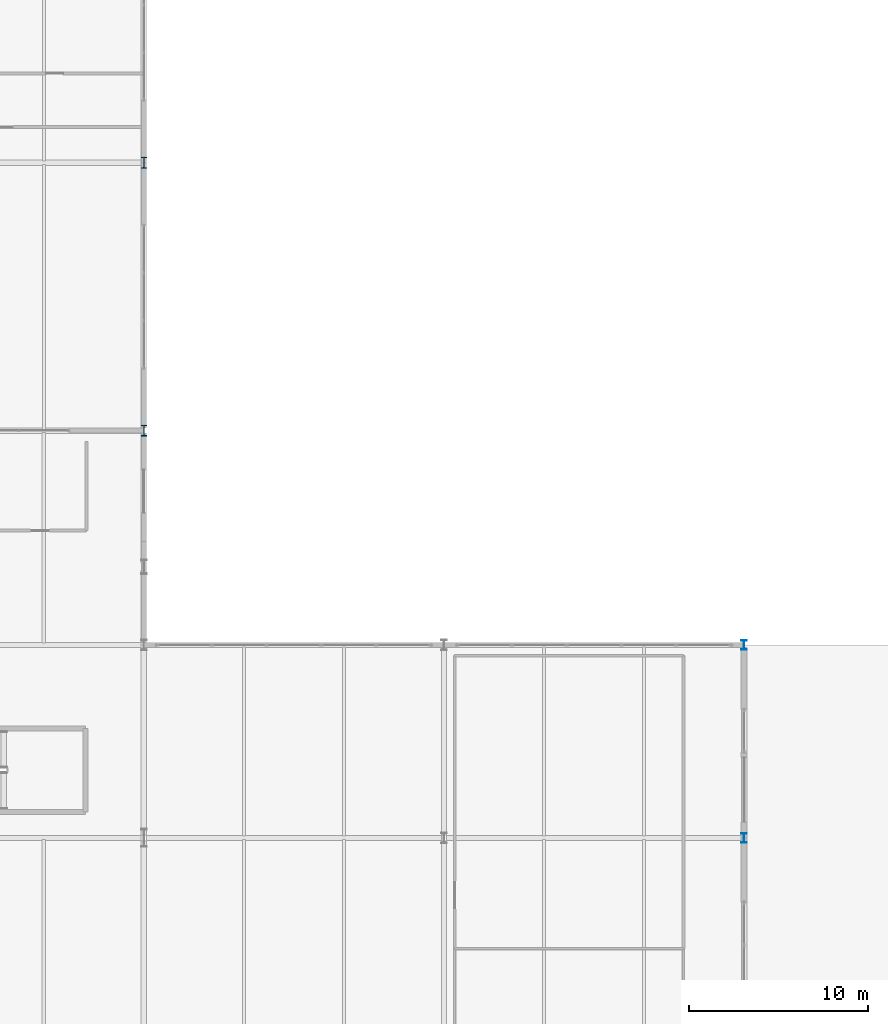
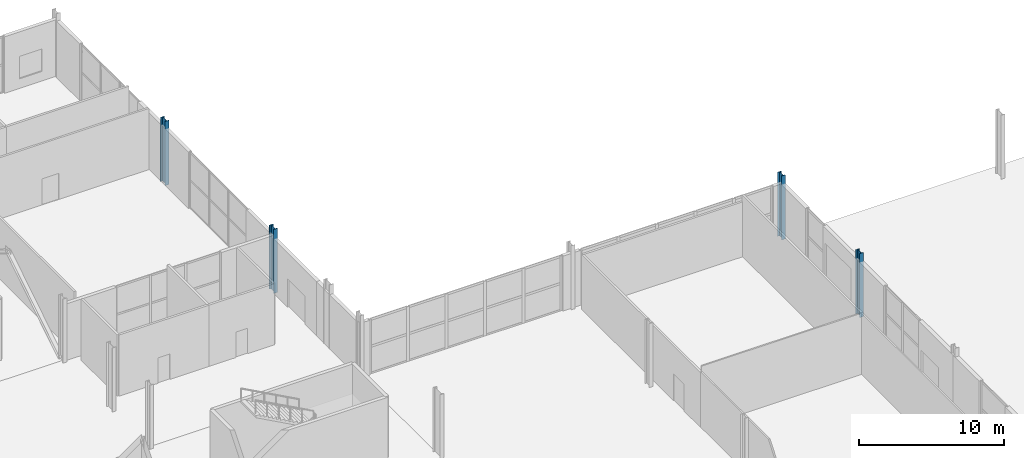
# One storey, part 17 of 87: 4 columns.
"""IFC4 building model written with IfcOpenShell, lengths in metres."""

from ifc_helpers import new_model, si_unit, direction, frame, origin, origin_2d, place, context, subcontext, project, spatial, i_section, extrude, material, material_profile, profile_set, type_object, element, save


model = new_model("IFC4")

# Units and contexts
model_context = context("Model", 3, precision=1e-05, world=origin(), true_north=direction((0.0, 1.0)))
body_context = subcontext(model_context, "Body", "Model", "MODEL_VIEW")
ifc_project = project(units=[si_unit("LENGTHUNIT", "METRE"), si_unit("AREAUNIT", "SQUARE_METRE"), si_unit("VOLUMEUNIT", "CUBIC_METRE"), si_unit("PLANEANGLEUNIT", "RADIAN"), si_unit("MASSUNIT", "GRAM", prefix="KILO")], contexts=[model_context])

# Site, building, storey
site_placement = place(None, origin())
site = spatial("IfcSite", under=ifc_project, at=site_placement, CompositionType="ELEMENT")
building_placement = place(site_placement, origin())
building = spatial("IfcBuilding", under=site, at=building_placement, Name="Kimbaza Rail Terminus", CompositionType="ELEMENT")
storey_placement = place(building_placement, origin())
storey = spatial("IfcBuildingStorey", under=building, at=storey_placement, Name="L00", CompositionType="ELEMENT", Elevation=0.0)

# Columns
ifc_material_1 = material(Name="Steel S355", Category="steel")
ifc_material_profile_1 = material_profile(ifc_material_1, i_section(OverallWidth=0.300048828125, OverallDepth=0.550048828125, WebThickness=0.014892578125, FlangeThickness=0.029052734375, FilletRadius=0.027099609375, at=origin_2d()), Name="HEB 550")
ifc_profile_set_1 = profile_set([ifc_material_profile_1], Name="Steel S355")
column_type_1 = type_object("IfcColumnType", Name="STR-COL-HEB550", PredefinedType="COLUMN", material=ifc_profile_set_1)
for number, where, z_axis, x_axis, name in (
    (1, (189.60009765625, 80.199951171875, 0.0), (0.0, 0.0, 1.0), (1.0, 0.0, 0.0), "Concourse Outer Wing Column L00"),
    (2, (189.60009765625, 91.0, 0.0), (0.0, 0.0, 1.0), (1.0, 0.0, 0.0), "Concourse Outer Wing Column L00"),
):
    element("IfcColumn", number, at=place(storey_placement, frame(where, z_axis=z_axis, x_axis=x_axis)), inside=storey, type_object=column_type_1, Name=name, PredefinedType="COLUMN", context=body_context, shape_type="SweptSolid", body=[
        extrude(i_section(OverallWidth=0.300048828125, OverallDepth=0.550048828125, WebThickness=0.014892578125, FlangeThickness=0.029052734375, FilletRadius=0.027099609375, at=origin_2d()), origin(), (0.0, 0.0, 1.0), 5.39990234375),
    ])
ifc_material_2 = material(Name="Steel S355", Category="steel")
ifc_material_profile_2 = material_profile(ifc_material_2, i_section(OverallWidth=0.304931640625, OverallDepth=0.6201171875, WebThickness=0.02099609375, FlangeThickness=0.0400390625, FilletRadius=0.027099609375, at=origin_2d()), Name="HEM 600")
ifc_profile_set_2 = profile_set([ifc_material_profile_2], Name="Steel S355")
column_type_2 = type_object("IfcColumnType", Name="STR-COL-HEM600", PredefinedType="COLUMN", material=ifc_profile_set_2)
for number, where, z_axis, x_axis, name in (
    (3, (156.0, 103.0, 0.0), (0.0, 0.0, 1.0), (1.0, 0.0, 0.0), "Operations Column L00 (6,0)"),
    (4, (156.0, 118.0, 0.0), (0.0, 0.0, 1.0), (1.0, 0.0, 0.0), "Operations Column L00 (6,1)"),
):
    element("IfcColumn", number, at=place(storey_placement, frame(where, z_axis=z_axis, x_axis=x_axis)), inside=storey, type_object=column_type_2, Name=name, PredefinedType="COLUMN", context=body_context, shape_type="SweptSolid", body=[
        extrude(i_section(OverallWidth=0.304931640625, OverallDepth=0.6201171875, WebThickness=0.02099609375, FlangeThickness=0.0400390625, FilletRadius=0.027099609375, at=origin_2d()), origin(), (0.0, 0.0, 1.0), 5.39990234375),
    ])

save(model, "model.ifc")
